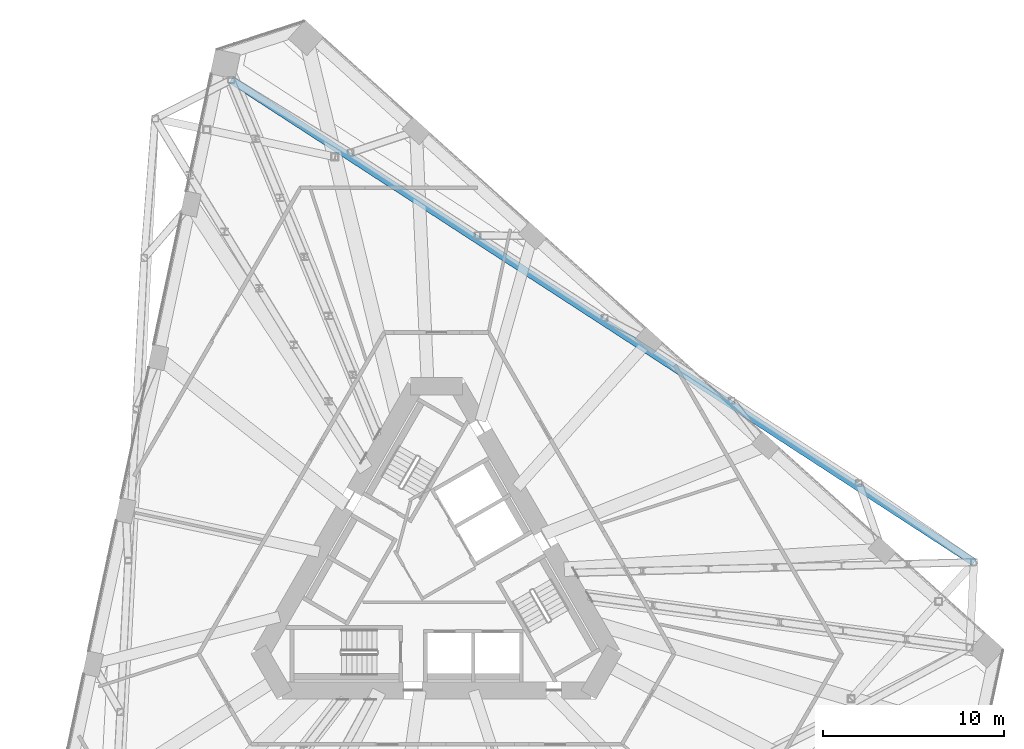
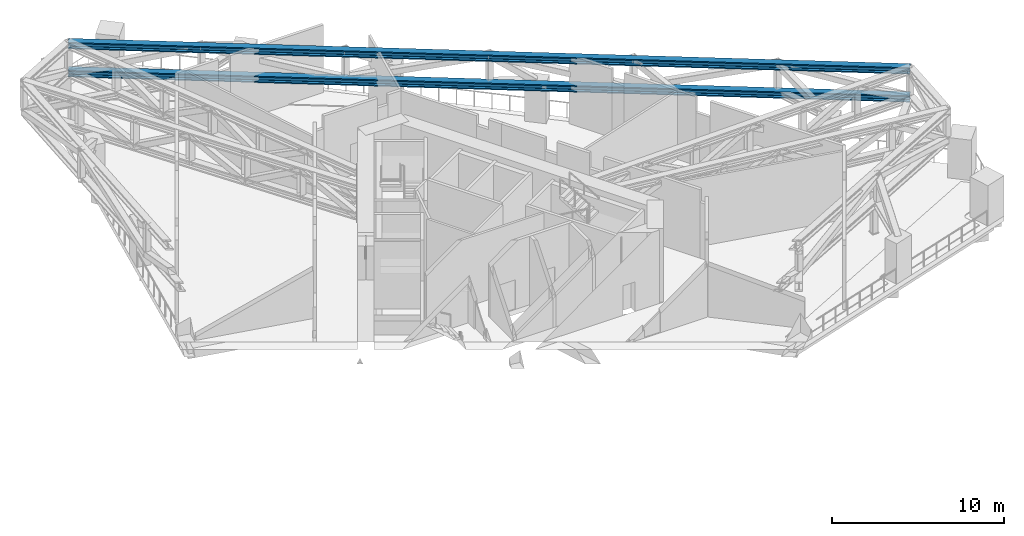
# One storey, part 12 of 24: 2 members.
"""IFC4 building model written with IfcOpenShell, lengths in metres."""

from ifc_helpers import new_model, si_unit, direction, frame, origin, origin_2d, place, context, subcontext, project, spatial, i_section, extrude, material, material_profile, profile_set, type_object, element, save


model = new_model("IFC4")

# Units and contexts
model_context = context("Model", 3, precision=1e-05, world=origin(), true_north=direction((0.0, 1.0)))
body_context = subcontext(model_context, "Body", "Model", "MODEL_VIEW")
ifc_project = project(units=[si_unit("LENGTHUNIT", "METRE"), si_unit("AREAUNIT", "SQUARE_METRE"), si_unit("VOLUMEUNIT", "CUBIC_METRE"), si_unit("PLANEANGLEUNIT", "RADIAN"), si_unit("MASSUNIT", "GRAM", prefix="KILO")], contexts=[model_context])

# Site, building, storey
site_placement = place(None, origin())
site = spatial("IfcSite", under=ifc_project, at=site_placement, CompositionType="ELEMENT")
building_placement = place(site_placement, origin())
building = spatial("IfcBuilding", under=site, at=building_placement, Name="Tramontana Tower", CompositionType="ELEMENT")
storey_placement = place(building_placement, frame((0.0, 0.0, 120.39990234375)))
storey = spatial("IfcBuildingStorey", under=building, at=storey_placement, Name="L27", CompositionType="ELEMENT", Elevation=120.39990234375)

# Members
ifc_material = material(Name="Steel ASTM A992 Grade 50", Category="steel")
ifc_material_profile = material_profile(ifc_material, i_section(OverallWidth=0.42236328125, OverallDepth=0.463623046875, WebThickness=0.04443359375, FlangeThickness=0.072998046875, FilletRadius=0.014892578125, at=origin_2d()), Name="W14X398")
ifc_profile_set = profile_set([ifc_material_profile], Name="Steel ASTM A992 Grade 50")
member_type = type_object("IfcMemberType", Name="Belt truss W14X398 chord", PredefinedType="CHORD", material=ifc_profile_set)
for number, where, z_axis, x_axis, name in (
    (1, (29.695068359375, 0.80712890625, 2.6318359375), (-0.838671426006, 0.544637713715, 0.0), (-0.544637713715, -0.838671426006, 0.0), "Belt truss bottom chord S2"),
    (2, (29.695068359375, 0.80712890625, 4.618408203125), (-0.838671426006, 0.544637713715, 0.0), (-0.544637713715, -0.838671426006, 0.0), "Belt truss top chord S2"),
):
    element("IfcMember", number, at=place(storey_placement, frame(where, z_axis=z_axis, x_axis=x_axis)), inside=storey, type_object=member_type, Name=name, PredefinedType="CHORD", context=body_context, shape_type="SweptSolid", body=[
        extrude(i_section(OverallWidth=0.42236328125, OverallDepth=0.463623046875, WebThickness=0.04443359375, FlangeThickness=0.072998046875, FilletRadius=0.014892578125, at=origin_2d()), origin(), (0.0, 0.0, 1.0), 48.9296875),
    ])

save(model, "model.ifc")
